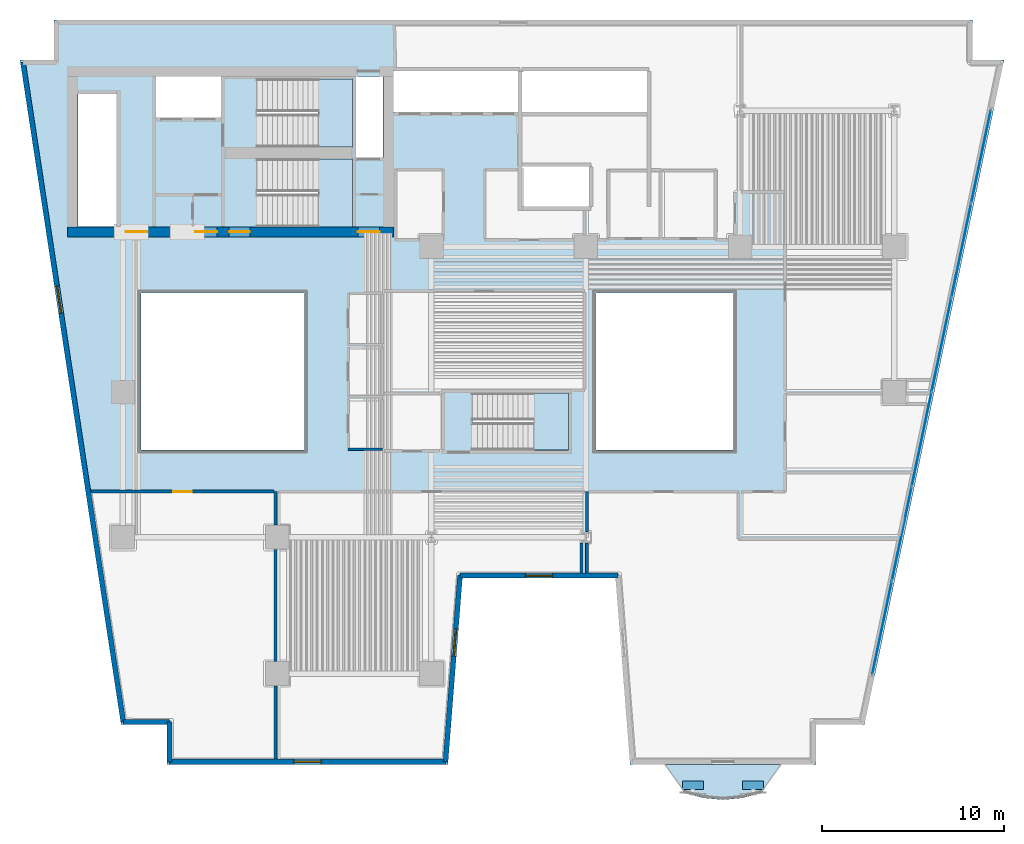
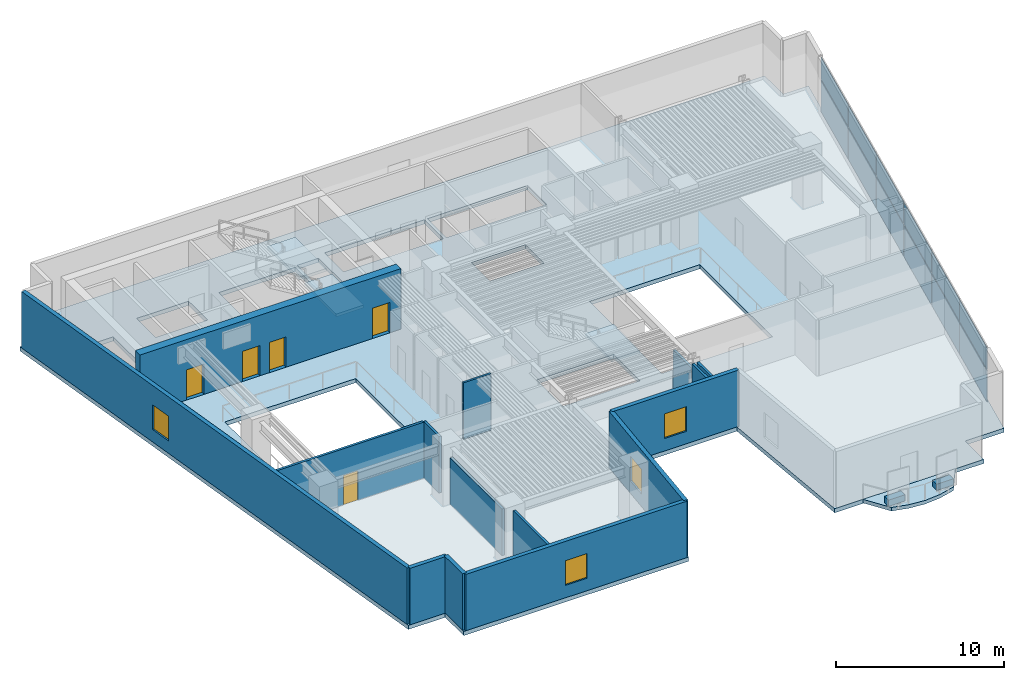
# One storey, part 3 of 12: 15 walls, 14 plates, 5 doors, 5 slabs, 4 windows, 9 openings, 4 elements without a shape of their own.
"""IFC4 building model written with IfcOpenShell, lengths in metres."""

from ifc_helpers import new_model, si_unit, direction, frame, frame_2d, origin, origin_2d, place, context, subcontext, project, spatial, polyline, rectangle, outline, extrude, material, layer, layer_set, type_object, element, fill, aggregate, save


model = new_model("IFC4")

# Units and contexts
model_context = context("Model", 3, precision=1e-05, world=origin(), true_north=direction((0.0, 1.0)))
body_context = subcontext(model_context, "Body", "Model", "MODEL_VIEW")
ifc_project = project(units=[si_unit("LENGTHUNIT", "METRE"), si_unit("AREAUNIT", "SQUARE_METRE"), si_unit("VOLUMEUNIT", "CUBIC_METRE"), si_unit("PLANEANGLEUNIT", "RADIAN"), si_unit("MASSUNIT", "GRAM", prefix="KILO")], contexts=[model_context])

# Site, building, storey
site_placement = place(None, origin())
site = spatial("IfcSite", under=ifc_project, at=site_placement, CompositionType="ELEMENT")
building_placement = place(site_placement, origin())
building = spatial("IfcBuilding", under=site, at=building_placement, Name="Caeloran Harvest Quay", CompositionType="ELEMENT")
storey_placement = place(building_placement, frame((0.0, 0.0, 31.39990234375)))
storey = spatial("IfcBuildingStorey", under=building, at=storey_placement, Name="L07", CompositionType="ELEMENT", Elevation=31.39990234375)

# Slab
ifc_material_1 = material(Name="Concrete C50/60", Category="concrete")
ifc_layer_1 = layer(ifc_material_1, 0.260009765625, Name="Concrete C50/60")
ifc_layer_set_1 = layer_set([ifc_layer_1], Name="Concrete C50/60")
slab_type_1 = type_object("IfcSlabType", Name="BALCONY-BL-260", PredefinedType="FLOOR", material=ifc_layer_set_1)
slab_1_placement = place(storey_placement, frame((0.0, 0.0, -0.260009765625)))
element("IfcSlab", 1, at=slab_1_placement, inside=storey, type_object=slab_type_1, Name="L07 Scalloped Cantilevered Planted Balcony Slab", PredefinedType="FLOOR", context=body_context, shape_type="SweptSolid", body=[
    extrude(outline(polyline([(43.686767578125, 0.917236328125), (42.622802734375, 0.644287109375), (41.55859375, 0.544189453125), (40.494384765625, 0.644287109375), (39.43017578125, 0.917236328125), (38.37939453125, 2.5), (44.73779296875, 2.5), (43.686767578125, 0.917236328125)])), origin(), (0.0, 0.0, 1.0), 0.260009765625),
])

# Curtain wall, plates
ifc_material_2 = material(Name="Aluminium 6063-T6 and Low-E Glazing", Category="aluminium")
ifc_layer_2 = layer(ifc_material_2, 0.199951171875, Name="Aluminium 6063-T6 and Low-E Glazing")
ifc_layer_set_2 = layer_set([ifc_layer_2], Name="Aluminium 6063-T6 and Low-E Glazing")
curtain_wall_type = type_object("IfcCurtainWallType", Name="CW-SYS-CW-2", PredefinedType="USERDEFINED", material=ifc_layer_set_2)
curtain_wall_placement = place(storey_placement, origin())
curtain_wall = element("IfcCurtainWall", 2, at=curtain_wall_placement, inside=storey, type_object=curtain_wall_type, Name="L07 Unitised Curtain Wall CW-2 Run 9", ObjectType="CURTAIN_WALL", PredefinedType="USERDEFINED")
ifc_material_3 = material(Name="Low-E Double Glazed Vision Glass Unit", Category="glass")
ifc_layer_3 = layer(ifc_material_3, 0.035888671875, Name="Low-E Double Glazed Vision Glass Unit")
ifc_layer_set_3 = layer_set([ifc_layer_3], Name="Low-E Double Glazed Vision Glass Unit")
plate_type_1 = type_object("IfcPlateType", Name="CW-VISION-PANEL", PredefinedType="CURTAIN_PANEL", material=ifc_layer_set_3)
plate_1_placement = place(storey_placement, frame((55.780029296875, 35.993408203125, 0.080078125), z_axis=(0.0, 0.0, 1.0), x_axis=(-0.205582960081, -0.978639691881, 0.0)))
plate_1 = element("IfcPlate", 3, at=plate_1_placement, type_object=plate_type_1, Name="CW-2 panel 1.1", PredefinedType="CURTAIN_PANEL", context=body_context, shape_type="SweptSolid", body=[
    extrude(rectangle(XDim=5.19873046875, YDim=0.035888671875, at=origin_2d()), origin(), (0.0, 0.0, 1.0), 2.280029296875),
])
plate_2_placement = place(storey_placement, frame((55.780029296875, 35.993408203125, 2.43994140625), z_axis=(0.0, 0.0, 1.0), x_axis=(-0.205582960081, -0.978639691881, 0.0)))
plate_2 = element("IfcPlate", 4, at=plate_2_placement, type_object=plate_type_1, Name="CW-2 panel 1.2", PredefinedType="CURTAIN_PANEL", context=body_context, shape_type="SweptSolid", body=[
    extrude(rectangle(XDim=5.19873046875, YDim=0.035888671875, at=origin_2d()), origin(), (0.0, 0.0, 1.0), 1.580078125),
])
plate_3_placement = place(storey_placement, frame((54.690673828125, 30.807861328125, 0.080078125), z_axis=(0.0, 0.0, 1.0), x_axis=(-0.205582960081, -0.978639691881, 0.0)))
plate_3 = element("IfcPlate", 5, at=plate_3_placement, type_object=plate_type_1, Name="CW-2 panel 2.1", PredefinedType="CURTAIN_PANEL", context=body_context, shape_type="SweptSolid", body=[
    extrude(rectangle(XDim=5.23876953125, YDim=0.035888671875, at=origin_2d()), origin(), (0.0, 0.0, 1.0), 2.280029296875),
])
plate_4_placement = place(storey_placement, frame((54.690673828125, 30.807861328125, 2.43994140625), z_axis=(0.0, 0.0, 1.0), x_axis=(-0.205582960081, -0.978639691881, 0.0)))
plate_4 = element("IfcPlate", 6, at=plate_4_placement, type_object=plate_type_1, Name="CW-2 panel 2.2", PredefinedType="CURTAIN_PANEL", context=body_context, shape_type="SweptSolid", body=[
    extrude(rectangle(XDim=5.23876953125, YDim=0.035888671875, at=origin_2d()), origin(), (0.0, 0.0, 1.0), 1.580078125),
])
plate_5_placement = place(storey_placement, frame((53.59716796875, 25.6025390625, 0.080078125), z_axis=(0.0, 0.0, 1.0), x_axis=(-0.205582960081, -0.978639691881, 0.0)))
plate_5 = element("IfcPlate", 7, at=plate_5_placement, type_object=plate_type_1, Name="CW-2 panel 3.1", PredefinedType="CURTAIN_PANEL", context=body_context, shape_type="SweptSolid", body=[
    extrude(rectangle(XDim=5.23876953125, YDim=0.035888671875, at=origin_2d()), origin(), (0.0, 0.0, 1.0), 2.280029296875),
])
plate_6_placement = place(storey_placement, frame((53.59716796875, 25.6025390625, 2.43994140625), z_axis=(0.0, 0.0, 1.0), x_axis=(-0.205582960081, -0.978639691881, 0.0)))
plate_6 = element("IfcPlate", 8, at=plate_6_placement, type_object=plate_type_1, Name="CW-2 panel 3.2", PredefinedType="CURTAIN_PANEL", context=body_context, shape_type="SweptSolid", body=[
    extrude(rectangle(XDim=5.23876953125, YDim=0.035888671875, at=origin_2d()), origin(), (0.0, 0.0, 1.0), 1.580078125),
])
plate_7_placement = place(storey_placement, frame((52.503662109375, 20.3974609375, 0.080078125), z_axis=(0.0, 0.0, 1.0), x_axis=(-0.205582960081, -0.978639691881, 0.0)))
plate_7 = element("IfcPlate", 9, at=plate_7_placement, type_object=plate_type_1, Name="CW-2 panel 4.1", PredefinedType="CURTAIN_PANEL", context=body_context, shape_type="SweptSolid", body=[
    extrude(rectangle(XDim=5.23876953125, YDim=0.035888671875, at=origin_2d()), origin(), (0.0, 0.0, 1.0), 2.280029296875),
])
plate_8_placement = place(storey_placement, frame((52.503662109375, 20.3974609375, 2.43994140625), z_axis=(0.0, 0.0, 1.0), x_axis=(-0.205582960081, -0.978639691881, 0.0)))
plate_8 = element("IfcPlate", 10, at=plate_8_placement, type_object=plate_type_1, Name="CW-2 panel 4.2", PredefinedType="CURTAIN_PANEL", context=body_context, shape_type="SweptSolid", body=[
    extrude(rectangle(XDim=5.23876953125, YDim=0.035888671875, at=origin_2d()), origin(), (0.0, 0.0, 1.0), 1.580078125),
])
plate_9_placement = place(storey_placement, frame((51.41015625, 15.192138671875, 0.080078125), z_axis=(0.0, 0.0, 1.0), x_axis=(-0.205582960081, -0.978639691881, 0.0)))
plate_9 = element("IfcPlate", 11, at=plate_9_placement, type_object=plate_type_1, Name="CW-2 panel 5.1", PredefinedType="CURTAIN_PANEL", context=body_context, shape_type="SweptSolid", body=[
    extrude(rectangle(XDim=5.23876953125, YDim=0.035888671875, at=origin_2d()), origin(), (0.0, 0.0, 1.0), 2.280029296875),
])
plate_10_placement = place(storey_placement, frame((51.41015625, 15.192138671875, 2.43994140625), z_axis=(0.0, 0.0, 1.0), x_axis=(-0.205582960081, -0.978639691881, 0.0)))
plate_10 = element("IfcPlate", 12, at=plate_10_placement, type_object=plate_type_1, Name="CW-2 panel 5.2", PredefinedType="CURTAIN_PANEL", context=body_context, shape_type="SweptSolid", body=[
    extrude(rectangle(XDim=5.23876953125, YDim=0.035888671875, at=origin_2d()), origin(), (0.0, 0.0, 1.0), 1.580078125),
])
plate_11_placement = place(storey_placement, frame((50.321044921875, 10.006591796875, 0.080078125), z_axis=(0.0, 0.0, 1.0), x_axis=(-0.205582960081, -0.978639691881, 0.0)))
plate_11 = element("IfcPlate", 13, at=plate_11_placement, type_object=plate_type_1, Name="CW-2 panel 6.1", PredefinedType="CURTAIN_PANEL", context=body_context, shape_type="SweptSolid", body=[
    extrude(rectangle(XDim=5.19873046875, YDim=0.035888671875, at=origin_2d()), origin(), (0.0, 0.0, 1.0), 2.280029296875),
])
plate_12_placement = place(storey_placement, frame((50.321044921875, 10.006591796875, 2.43994140625), z_axis=(0.0, 0.0, 1.0), x_axis=(-0.205582960081, -0.978639691881, 0.0)))
plate_12 = element("IfcPlate", 14, at=plate_12_placement, type_object=plate_type_1, Name="CW-2 panel 6.2", PredefinedType="CURTAIN_PANEL", context=body_context, shape_type="SweptSolid", body=[
    extrude(rectangle(XDim=5.19873046875, YDim=0.035888671875, at=origin_2d()), origin(), (0.0, 0.0, 1.0), 1.580078125),
])
aggregate(curtain_wall, [plate_1, plate_2, plate_3, plate_4, plate_5, plate_6, plate_7, plate_8, plate_9, plate_10, plate_11, plate_12])

# Plates
ifc_material_4 = material(Name="Precast concrete C50/60", Category="concrete")
ifc_layer_4 = layer(ifc_material_4, 0.449951171875, Name="Precast concrete C50/60")
ifc_layer_set_4 = layer_set([ifc_layer_4], Name="Precast concrete C50/60")
plate_type_2 = type_object("IfcPlateType", Name="PLANTER-TROUGH-450", PredefinedType="USERDEFINED", material=ifc_layer_set_4)
for number, where, z_axis, x_axis, name in (
    (15, (43.218505859375, 1.3408203125, 0.0), (0.0, 0.0, 1.0), (1.0, 0.0, 0.0), "L07 Balcony Vertical-Greenery Precast PLANTER Trough 1"),
    (16, (39.8984375, 1.3408203125, 0.0), (0.0, 0.0, 1.0), (1.0, 0.0, 0.0), "L07 Balcony Vertical-Greenery Precast PLANTER Trough 2"),
):
    element("IfcPlate", number, at=place(storey_placement, frame(where, z_axis=z_axis, x_axis=x_axis)), inside=storey, type_object=plate_type_2, Name=name, ObjectType="PLANTER", PredefinedType="USERDEFINED", context=body_context, shape_type="SweptSolid", body=[
        extrude(rectangle(XDim=1.14990234375, YDim=0.47998046875, at=origin_2d()), origin(), (0.0, 0.0, 1.0), 0.449951171875),
    ])

# Slab
ifc_layer_5 = layer(ifc_material_1, 0.300048828125, Name="Concrete C50/60")
ifc_layer_set_5 = layer_set([ifc_layer_5], Name="Concrete C50/60")
slab_type_2 = type_object("IfcSlabType", Name="SLAB-FS-300", PredefinedType="FLOOR", material=ifc_layer_set_5)
slab_2_placement = place(storey_placement, frame((0.0, 0.0, -0.2998046875)))
element("IfcSlab", 17, at=slab_2_placement, inside=storey, type_object=slab_type_2, Name="L07 Structural Floor Slab", PredefinedType="FLOOR", context=body_context, shape_type="SweptSolid", body=[
    extrude(outline(polyline([(10.93701171875, 2.5), (26.403076171875, 2.5), (27.202880859375, 12.75), (35.640380859375, 12.75), (36.4404296875, 2.5), (46.68701171875, 2.5), (46.68701171875, 4.699951171875), (49.34912109375, 4.699951171875), (57.037841796875, 41.300048828125), (55.300048828125, 41.300048828125), (55.300048828125, 43.5), (4.699951171875, 43.5), (4.699951171875, 41.300048828125), (2.834716796875, 41.300048828125), (8.40234375, 4.699951171875), (10.93701171875, 4.699951171875), (10.93701171875, 2.5)]), holes=[polyline([(18.5, 19.800048828125), (9.5, 19.800048828125), (9.5, 28.449951171875), (18.5, 28.449951171875), (18.5, 19.800048828125)]), polyline([(15.89990234375, 32.10009765625), (15.89990234375, 35.85009765625), (21.14990234375, 35.85009765625), (21.14990234375, 32.10009765625), (15.89990234375, 32.10009765625)]), polyline([(8.159912109375, 32.1201171875), (6.02001953125, 32.1201171875), (6.02001953125, 39.419921875), (8.159912109375, 39.419921875), (8.159912109375, 32.1201171875)]), polyline([(21.35009765625, 35.919921875), (21.35009765625, 40.3798828125), (22.830078125, 40.3798828125), (22.830078125, 35.919921875), (21.35009765625, 35.919921875)]), polyline([(15.89990234375, 40.25), (21.14990234375, 40.25), (21.14990234375, 36.5), (15.89990234375, 36.5), (15.89990234375, 40.25)]), polyline([(13.89990234375, 38.1201171875), (10.320068359375, 38.1201171875), (10.320068359375, 40.3798828125), (13.89990234375, 40.3798828125), (13.89990234375, 38.1201171875)]), polyline([(27.75, 22.949951171875), (33.050048828125, 22.949951171875), (33.050048828125, 19.800048828125), (27.75, 19.800048828125), (27.75, 22.949951171875)]), polyline([(34.550048828125, 19.800048828125), (34.550048828125, 28.449951171875), (42.14990234375, 28.449951171875), (42.14990234375, 19.800048828125), (34.550048828125, 19.800048828125)]), polyline([(34.199951171875, 33.219970703125), (30.47998046875, 33.219970703125), (30.47998046875, 35.429931640625), (34.199951171875, 35.429931640625), (34.199951171875, 33.219970703125)]), polyline([(23.419921875, 38.419921875), (23.419921875, 40.679931640625), (30.280029296875, 40.679931640625), (30.280029296875, 38.419921875), (23.419921875, 38.419921875)]), polyline([(30.47998046875, 38.419921875), (30.47998046875, 40.679931640625), (37.3798828125, 40.679931640625), (37.3798828125, 38.419921875), (30.47998046875, 38.419921875)])]), origin(), (0.0, 0.0, 1.0), 0.2998046875),
])

# Stair, slab
stair_type_1 = type_object("IfcStairType", Name="STAIR-STC-180", PredefinedType="HALF_TURN_STAIR", material=ifc_material_1)
stair_1_placement = place(storey_placement, origin())
stair_1 = element("IfcStair", 18, at=stair_1_placement, inside=storey, type_object=stair_type_1, Name="L07 Core Pressurized Exit Stair ST-C1", PredefinedType="HALF_TURN_STAIR")
ifc_layer_6 = layer(ifc_material_1, 0.219970703125, Name="Concrete C50/60")
ifc_layer_set_6 = layer_set([ifc_layer_6], Name="Concrete C50/60")
slab_type_3 = type_object("IfcSlabType", Name="STAIR-LANDING-220", PredefinedType="LANDING", material=ifc_layer_set_6)
slab_3_placement = place(storey_placement, frame((0.0, 0.0, 2.0)))
slab_3 = element("IfcSlab", 19, at=slab_3_placement, type_object=slab_type_3, Name="ST-C1 landing 1", PredefinedType="LANDING", context=body_context, shape_type="SweptSolid", body=[
    extrude(outline(polyline([(19.260009765625, 36.5), (21.14990234375, 36.5), (21.14990234375, 40.25), (19.260009765625, 40.25), (19.260009765625, 36.5)])), origin(), (0.0, 0.0, 1.0), 0.2001953125),
])
aggregate(stair_1, [slab_3])

stair_2_placement = place(storey_placement, origin())
stair_2 = element("IfcStair", 20, at=stair_2_placement, inside=storey, type_object=stair_type_1, Name="L07 Core Pressurized Exit Stair ST-C2", PredefinedType="HALF_TURN_STAIR")
slab_4_placement = place(storey_placement, frame((0.0, 0.0, 2.0)))
slab_4 = element("IfcSlab", 21, at=slab_4_placement, type_object=slab_type_3, Name="ST-C2 landing 1", PredefinedType="LANDING", context=body_context, shape_type="SweptSolid", body=[
    extrude(outline(polyline([(19.260009765625, 32.10009765625), (21.14990234375, 32.10009765625), (21.14990234375, 35.85009765625), (19.260009765625, 35.85009765625), (19.260009765625, 32.10009765625)])), origin(), (0.0, 0.0, 1.0), 0.2001953125),
])
aggregate(stair_2, [slab_4])

stair_type_2 = type_object("IfcStairType", Name="STAIR-STW-150", PredefinedType="HALF_TURN_STAIR", material=ifc_material_1)
stair_3_placement = place(storey_placement, origin())
stair_3 = element("IfcStair", 22, at=stair_3_placement, inside=storey, type_object=stair_type_2, Name="L07 East Wing Protected Exit Stair ST-W1", PredefinedType="HALF_TURN_STAIR")
slab_5_placement = place(storey_placement, frame((0.0, 0.0, 2.0)))
slab_5 = element("IfcSlab", 23, at=slab_5_placement, type_object=slab_type_3, Name="ST-W1 landing 1", PredefinedType="LANDING", context=body_context, shape_type="SweptSolid", body=[
    extrude(outline(polyline([(31.110107421875, 19.800048828125), (33.050048828125, 19.800048828125), (33.050048828125, 22.949951171875), (31.110107421875, 22.949951171875), (31.110107421875, 19.800048828125)])), origin(), (0.0, 0.0, 1.0), 0.2001953125),
])
aggregate(stair_3, [slab_5])

# Walls
ifc_layer_7 = layer(ifc_material_4, 0.280029296875, Name="Precast concrete C50/60")
ifc_layer_set_7 = layer_set([ifc_layer_7], Name="Precast concrete C50/60")
wall_type_1 = type_object("IfcWallType", Name="ENV-WALL-EW-280", PredefinedType="STANDARD", material=ifc_layer_set_7)
wall_1_placement = place(storey_placement, frame((11.076904296875, 2.639892578125, 0.0), z_axis=(0.0, 0.0, 1.0), x_axis=(0.0, 1.0, 0.0)))
element("IfcWall", 24, at=wall_1_placement, inside=storey, type_object=wall_type_1, Name="L07 Exterior Precast Concrete Facade Wall 1", PredefinedType="STANDARD", context=body_context, shape_type="SweptSolid", body=[
    extrude(rectangle(XDim=2.2001953125, YDim=0.280029296875, at=frame_2d((1.10009765625, 0.0))), origin(), (0.0, 0.0, 1.0), 4.10009765625),
])
wall_2_placement = place(storey_placement, frame((11.076904296875, 4.840087890625, 0.0), z_axis=(0.0, 0.0, 1.0), x_axis=(-1.0, 0.0, 0.0)))
element("IfcWall", 25, at=wall_2_placement, inside=storey, type_object=wall_type_1, Name="L07 Exterior Precast Concrete Facade Wall 2", PredefinedType="STANDARD", context=body_context, shape_type="SweptSolid", body=[
    extrude(rectangle(XDim=2.55419921875, YDim=0.280029296875, at=frame_2d((1.277099609375, 0.0))), origin(), (0.0, 0.0, 1.0), 4.10009765625),
])

# Wall, opening, window
wall_3_placement = place(storey_placement, frame((8.522705078125, 4.840087890625, 0.0), z_axis=(0.0, 0.0, 1.0), x_axis=(-0.150394554312, 0.988626055712, 0.0)))
wall_3 = element("IfcWall", 26, at=wall_3_placement, inside=storey, type_object=wall_type_1, Name="L07 Exterior Precast Concrete Facade Wall 3", PredefinedType="STANDARD", context=body_context, shape_type="SweptSolid", body=[
    extrude(rectangle(XDim=36.73779296875, YDim=0.280029296875, at=frame_2d((18.368896484375, 0.0))), origin(), (0.0, 0.0, 1.0), 4.10009765625),
])
opening_1_placement = place(wall_3_placement, frame((22.761962890625, 0.0, 0.89990234375)))
opening_1 = element("IfcOpeningElement", 27, at=opening_1_placement, cuts=wall_3, Name="Opening W-03", PredefinedType="OPENING", context=body_context, shape_type="SweptSolid", body=[
    extrude(rectangle(XDim=1.5, YDim=1.800048828125, at=frame_2d((0.75, 0.89990234375))), frame((0.0, 0.14990234375, 0.0), z_axis=(0.0, -1.0, 0.0), x_axis=(1.0, 0.0, 0.0)), (0.0, 0.0, 1.0), 0.300048828125),
])
ifc_material_5 = material(Name="Aluminium-Framed Low-E Laminated Glass", Category="aluminium")
window_type = type_object("IfcWindowType", Name="WIN-W-03", PartitioningType="SINGLE_PANEL", PredefinedType="WINDOW", material=ifc_material_5)
window_1_placement = place(opening_1_placement, origin())
window_1 = element("IfcWindow", 28, at=window_1_placement, inside=storey, type_object=window_type, Name="L07 Facade Punched Window W-03", OverallHeight=1.800048828125, OverallWidth=1.5, PartitioningType="SINGLE_PANEL", PredefinedType="WINDOW", context=body_context, shape_type="SweptSolid", body=[
    extrude(rectangle(XDim=1.5, YDim=1.800048828125, at=frame_2d((0.75, 0.89990234375))), frame((0.0, 0.030029296875, 0.0), z_axis=(0.0, -1.0, 0.0), x_axis=(1.0, 0.0, 0.0)), (0.0, 0.0, 1.0), 0.06005859375),
])
fill(opening_1, window_1)

wall_4_placement = place(storey_placement, frame((35.77001953125, 12.889892578125, 0.0), z_axis=(0.0, 0.0, 1.0), x_axis=(-1.0, 0.0, 0.0)))
wall_4 = element("IfcWall", 29, at=wall_4_placement, inside=storey, type_object=wall_type_1, Name="L07 Exterior Precast Concrete Facade Wall 14", PredefinedType="STANDARD", context=body_context, shape_type="SweptSolid", body=[
    extrude(rectangle(XDim=8.696533203125, YDim=0.280029296875, at=frame_2d((4.34814453125, 0.0))), origin(), (0.0, 0.0, 1.0), 4.10009765625),
])
opening_2_placement = place(wall_4_placement, frame((3.597900390625, 0.0, 0.89990234375)))
opening_2 = element("IfcOpeningElement", 30, at=opening_2_placement, cuts=wall_4, Name="Opening W-03", PredefinedType="OPENING", context=body_context, shape_type="SweptSolid", body=[
    extrude(rectangle(XDim=1.5, YDim=1.800048828125, at=frame_2d((0.75, 0.89990234375))), frame((0.0, 0.14990234375, 0.0), z_axis=(0.0, -1.0, 0.0), x_axis=(1.0, 0.0, 0.0)), (0.0, 0.0, 1.0), 0.300048828125),
])
window_2_placement = place(opening_2_placement, origin())
window_2 = element("IfcWindow", 31, at=window_2_placement, inside=storey, type_object=window_type, Name="L07 Facade Punched Window W-03", OverallHeight=1.800048828125, OverallWidth=1.5, PartitioningType="SINGLE_PANEL", PredefinedType="WINDOW", context=body_context, shape_type="SweptSolid", body=[
    extrude(rectangle(XDim=1.5, YDim=1.800048828125, at=frame_2d((0.75, 0.89990234375))), frame((0.0, 0.030029296875, 0.0), z_axis=(0.0, -1.0, 0.0), x_axis=(1.0, 0.0, 0.0)), (0.0, 0.0, 1.0), 0.06005859375),
])
fill(opening_2, window_2)

wall_5_placement = place(storey_placement, frame((27.073486328125, 12.889892578125, 0.0), z_axis=(0.0, 0.0, 1.0), x_axis=(-0.077816860153, -0.996967670627, 0.0)))
wall_5 = element("IfcWall", 32, at=wall_5_placement, inside=storey, type_object=wall_type_1, Name="L07 Exterior Precast Concrete Facade Wall 15", PredefinedType="STANDARD", context=body_context, shape_type="SweptSolid", body=[
    extrude(rectangle(XDim=10.28125, YDim=0.280029296875, at=frame_2d((5.140625, 0.0))), origin(), (0.0, 0.0, 1.0), 4.10009765625),
])
opening_3_placement = place(wall_5_placement, frame((2.950927734375, 0.0, 0.89990234375)))
opening_3 = element("IfcOpeningElement", 33, at=opening_3_placement, cuts=wall_5, Name="Opening W-03", PredefinedType="OPENING", context=body_context, shape_type="SweptSolid", body=[
    extrude(rectangle(XDim=1.5, YDim=1.800048828125, at=frame_2d((0.75, 0.89990234375))), frame((0.0, 0.14990234375, 0.0), z_axis=(0.0, -1.0, 0.0), x_axis=(1.0, 0.0, 0.0)), (0.0, 0.0, 1.0), 0.300048828125),
])
window_3_placement = place(opening_3_placement, origin())
window_3 = element("IfcWindow", 34, at=window_3_placement, inside=storey, type_object=window_type, Name="L07 Facade Punched Window W-03", OverallHeight=1.800048828125, OverallWidth=1.5, PartitioningType="SINGLE_PANEL", PredefinedType="WINDOW", context=body_context, shape_type="SweptSolid", body=[
    extrude(rectangle(XDim=1.5, YDim=1.800048828125, at=frame_2d((0.75, 0.89990234375))), frame((0.0, 0.030029296875, 0.0), z_axis=(0.0, -1.0, 0.0), x_axis=(1.0, 0.0, 0.0)), (0.0, 0.0, 1.0), 0.06005859375),
])
fill(opening_3, window_3)

wall_6_placement = place(storey_placement, frame((26.2734375, 2.639892578125, 0.0), z_axis=(0.0, 0.0, 1.0), x_axis=(-1.0, 0.0, 0.0)))
wall_6 = element("IfcWall", 35, at=wall_6_placement, inside=storey, type_object=wall_type_1, Name="L07 Exterior Precast Concrete Facade Wall 16", PredefinedType="STANDARD", context=body_context, shape_type="SweptSolid", body=[
    extrude(rectangle(XDim=15.196533203125, YDim=0.280029296875, at=frame_2d((7.59814453125, 0.0))), origin(), (0.0, 0.0, 1.0), 4.10009765625),
])
opening_4_placement = place(wall_6_placement, frame((6.847900390625, 0.0, 0.89990234375)))
opening_4 = element("IfcOpeningElement", 36, at=opening_4_placement, cuts=wall_6, Name="Opening W-03", PredefinedType="OPENING", context=body_context, shape_type="SweptSolid", body=[
    extrude(rectangle(XDim=1.5, YDim=1.800048828125, at=frame_2d((0.75, 0.89990234375))), frame((0.0, 0.14990234375, 0.0), z_axis=(0.0, -1.0, 0.0), x_axis=(1.0, 0.0, 0.0)), (0.0, 0.0, 1.0), 0.300048828125),
])
window_4_placement = place(opening_4_placement, origin())
window_4 = element("IfcWindow", 37, at=window_4_placement, inside=storey, type_object=window_type, Name="L07 Facade Punched Window W-03", OverallHeight=1.800048828125, OverallWidth=1.5, PartitioningType="SINGLE_PANEL", PredefinedType="WINDOW", context=body_context, shape_type="SweptSolid", body=[
    extrude(rectangle(XDim=1.5, YDim=1.800048828125, at=frame_2d((0.75, 0.89990234375))), frame((0.0, 0.030029296875, 0.0), z_axis=(0.0, -1.0, 0.0), x_axis=(1.0, 0.0, 0.0)), (0.0, 0.0, 1.0), 0.06005859375),
])
fill(opening_4, window_4)

# Walls
ifc_material_6 = material(Name="Moisture-Resistant Cement-Board Sanitary Partition", Category="gypsum")
ifc_layer_8 = layer(ifc_material_6, 0.139892578125, Name="Moisture-Resistant Cement-Board Sanitary Partition")
ifc_layer_set_8 = layer_set([ifc_layer_8], Name="Moisture-Resistant Cement-Board Sanitary Partition")
wall_type_2 = type_object("IfcWallType", Name="INT-WALL-PW-140", PredefinedType="PARTITIONING", material=ifc_layer_set_8)
wall_7_placement = place(storey_placement, frame((22.800048828125, 19.85009765625, 0.0), z_axis=(0.0, 0.0, 1.0), x_axis=(-1.0, 0.0, 0.0)))
element("IfcWall", 38, at=wall_7_placement, inside=storey, type_object=wall_type_2, Name="L07 Accessible Unisex Washroom WC Partition Wall", PredefinedType="PARTITIONING", context=body_context, shape_type="SweptSolid", body=[
    extrude(rectangle(XDim=1.89013671875, YDim=0.139892578125, at=frame_2d((0.945068359375, 0.0))), origin(), (0.0, 0.0, 1.0), 4.10009765625),
])
ifc_material_7 = material(Name="Autoclaved Aerated Concrete Blockwork", Category="masonry")
ifc_layer_9 = layer(ifc_material_7, 0.1650390625, Name="Autoclaved Aerated Concrete Blockwork")
ifc_layer_set_9 = layer_set([ifc_layer_9], Name="Autoclaved Aerated Concrete Blockwork")
wall_type_3 = type_object("IfcWallType", Name="INT-WALL-PW-165", PredefinedType="PARTITIONING", material=ifc_layer_set_9)
wall_8_placement = place(storey_placement, frame((34.080078125, 13.034912109375, 0.0), z_axis=(0.0, 0.0, 1.0), x_axis=(0.0, 1.0, 0.0)))
element("IfcWall", 39, at=wall_8_placement, inside=storey, type_object=wall_type_3, Name="Leafy-Greens Hydroponic Growing Hall Partition Wall", PredefinedType="PARTITIONING", context=body_context, shape_type="SweptSolid", body=[
    extrude(rectangle(XDim=1.655517578125, YDim=0.1650390625, at=frame_2d((0.82763671875, 0.0))), origin(), (0.0, 0.0, 1.0), 4.10009765625),
])
wall_9_placement = place(storey_placement, frame((34.080078125, 15.3095703125, 0.0), z_axis=(0.0, 0.0, 1.0), x_axis=(0.0, 1.0, 0.0)))
element("IfcWall", 40, at=wall_9_placement, inside=storey, type_object=wall_type_3, Name="Leafy-Greens Hydroponic Growing Hall Partition Wall", PredefinedType="PARTITIONING", context=body_context, shape_type="SweptSolid", body=[
    extrude(rectangle(XDim=2.21044921875, YDim=0.1650390625, at=frame_2d((1.105224609375, 0.0))), origin(), (0.0, 0.0, 1.0), 3.28515625),
])
wall_10_placement = place(storey_placement, frame((16.919921875, 17.52001953125, 0.0), z_axis=(0.0, 0.0, 1.0), x_axis=(0.0, -1.0, 0.0)))
element("IfcWall", 41, at=wall_10_placement, inside=storey, type_object=wall_type_3, Name="Aeroponic Root-Mist Growing Chamber Partition Wall", PredefinedType="PARTITIONING", context=body_context, shape_type="SweptSolid", body=[
    extrude(rectangle(XDim=1.844970703125, YDim=0.1650390625, at=frame_2d((0.92236328125, 0.0))), origin(), (0.0, 0.0, 1.0), 4.10009765625),
])
wall_11_placement = place(storey_placement, frame((16.919921875, 14.324951171875, 0.0), z_axis=(0.0, 0.0, 1.0), x_axis=(0.0, -1.0, 0.0)))
element("IfcWall", 42, at=wall_11_placement, inside=storey, type_object=wall_type_3, Name="Aeroponic Root-Mist Growing Chamber Partition Wall", PredefinedType="PARTITIONING", context=body_context, shape_type="SweptSolid", body=[
    extrude(rectangle(XDim=6.14990234375, YDim=0.1650390625, at=frame_2d((3.074951171875, 0.0))), origin(), (0.0, 0.0, 1.0), 3.385009765625),
])
wall_12_placement = place(storey_placement, frame((16.919921875, 6.824951171875, 0.0), z_axis=(0.0, 0.0, 1.0), x_axis=(0.0, -1.0, 0.0)))
element("IfcWall", 43, at=wall_12_placement, inside=storey, type_object=wall_type_3, Name="Aeroponic Root-Mist Growing Chamber Partition Wall", PredefinedType="PARTITIONING", context=body_context, shape_type="SweptSolid", body=[
    extrude(rectangle(XDim=4.0400390625, YDim=0.1650390625, at=frame_2d((2.02001953125, 0.0))), origin(), (0.0, 0.0, 1.0), 4.10009765625),
])

# Wall, opening, door
wall_13_placement = place(storey_placement, frame((6.740478515625, 17.52001953125, 0.0), z_axis=(0.0, 0.0, 1.0), x_axis=(1.0, 0.0, 0.0)))
wall_13 = element("IfcWall", 44, at=wall_13_placement, inside=storey, type_object=wall_type_3, Name="Aeroponic Root-Mist Growing Chamber Partition Wall", PredefinedType="PARTITIONING", context=body_context, shape_type="SweptSolid", body=[
    extrude(rectangle(XDim=10.092041015625, YDim=0.1650390625, at=frame_2d((5.0458984375, 0.0))), origin(), (0.0, 0.0, 1.0), 4.10009765625),
])
opening_5_placement = place(wall_13_placement, frame((4.5458984375, 0.0, 0.0)))
opening_5 = element("IfcOpeningElement", 45, at=opening_5_placement, cuts=wall_13, Name="Opening ID-01", PredefinedType="OPENING", context=body_context, shape_type="SweptSolid", body=[
    extrude(rectangle(XDim=1.0, YDim=2.14990234375, at=frame_2d((0.5, 1.074951171875))), frame((0.0, 0.092529296875, 0.0), z_axis=(0.0, -1.0, 0.0), x_axis=(1.0, 0.0, 0.0)), (0.0, 0.0, 1.0), 0.18505859375),
])
ifc_material_8 = material(Name="FSC Solid-Core Ash Timber and Acoustic Seal", Category="wood")
door_type_1 = type_object("IfcDoorType", Name="INTDOOR-ID-01", OperationType="NOTDEFINED", PredefinedType="DOOR", material=ifc_material_8)
door_1_placement = place(opening_5_placement, origin())
door_1 = element("IfcDoor", 46, at=door_1_placement, inside=storey, type_object=door_type_1, Name="Aeroponic Root-Mist Growing Chamber Access Door", OperationType="SINGLE_SWING_LEFT", OverallHeight=2.14990234375, OverallWidth=1.0, PredefinedType="DOOR", context=body_context, shape_type="SweptSolid", body=[
    extrude(rectangle(XDim=1.0, YDim=2.14990234375, at=frame_2d((0.5, 1.074951171875))), frame((0.0, 0.02490234375, 0.0), z_axis=(0.0, -1.0, 0.0), x_axis=(1.0, 0.0, 0.0)), (0.0, 0.0, 1.0), 0.050048828125),
])
fill(opening_5, door_1)

# Wall
wall_14_placement = place(storey_placement, frame((33.758056640625, 14.6904296875, 0.0), z_axis=(0.0, 0.0, 1.0), x_axis=(0.0, -1.0, 0.0)))
element("IfcWall", 47, at=wall_14_placement, inside=storey, type_object=wall_type_3, Name="Seedling Nursery Room Partition Wall", PredefinedType="PARTITIONING", context=body_context, shape_type="SweptSolid", body=[
    extrude(rectangle(XDim=1.655517578125, YDim=0.1650390625, at=frame_2d((0.82763671875, 0.0))), origin(), (0.0, 0.0, 1.0), 4.10009765625),
])

# Wall, openings, doors
ifc_material_9 = material(Name="Concrete C80/95", Category="concrete")
ifc_layer_10 = layer(ifc_material_9, 0.550048828125, Name="Concrete C80/95")
ifc_layer_set_10 = layer_set([ifc_layer_10], Name="Concrete C80/95")
wall_type_4 = type_object("IfcWallType", Name="STR-WALL-CW-550", PredefinedType="SHEAR", material=ifc_layer_set_10)
wall_15_placement = place(storey_placement, frame((5.449951171875, 31.824951171875, 0.0), z_axis=(0.0, 0.0, 1.0), x_axis=(1.0, 0.0, 0.0)))
wall_15 = element("IfcWall", 48, at=wall_15_placement, inside=storey, type_object=wall_type_4, Name="L07 Rear Core Shear Wall S", PredefinedType="SHEAR", context=body_context, shape_type="SweptSolid", body=[
    extrude(rectangle(XDim=17.949951171875, YDim=0.550048828125, at=frame_2d((8.97509765625, 0.0))), origin(), (0.0, 0.0, 1.0), 4.400146484375),
])
opening_6_placement = place(wall_15_placement, frame((3.199951171875, 0.0, 0.0)))
opening_6 = element("IfcOpeningElement", 49, at=opening_6_placement, cuts=wall_15, Name="Opening FD-01", PredefinedType="OPENING", context=body_context, shape_type="SweptSolid", body=[
    extrude(rectangle(XDim=1.199951171875, YDim=2.199951171875, at=frame_2d((0.60009765625, 1.10009765625))), frame((0.0, 0.28515625, 0.0), z_axis=(0.0, -1.0, 0.0), x_axis=(1.0, 0.0, 0.0)), (0.0, 0.0, 1.0), 0.570068359375),
])
opening_7_placement = place(wall_15_placement, frame((7.050048828125, 0.0, 0.0)))
opening_7 = element("IfcOpeningElement", 50, at=opening_7_placement, cuts=wall_15, Name="Opening FD-01", PredefinedType="OPENING", context=body_context, shape_type="SweptSolid", body=[
    extrude(rectangle(XDim=1.199951171875, YDim=2.199951171875, at=frame_2d((0.60009765625, 1.10009765625))), frame((0.0, 0.28515625, 0.0), z_axis=(0.0, -1.0, 0.0), x_axis=(1.0, 0.0, 0.0)), (0.0, 0.0, 1.0), 0.570068359375),
])
opening_8_placement = place(wall_15_placement, frame((8.89990234375, 0.0, 0.0)))
opening_8 = element("IfcOpeningElement", 51, at=opening_8_placement, cuts=wall_15, Name="Opening SD-01", PredefinedType="OPENING", context=body_context, shape_type="SweptSolid", body=[
    extrude(rectangle(XDim=1.14990234375, YDim=2.199951171875, at=frame_2d((0.574951171875, 1.10009765625))), frame((0.0, 0.28515625, 0.0), z_axis=(0.0, -1.0, 0.0), x_axis=(1.0, 0.0, 0.0)), (0.0, 0.0, 1.0), 0.570068359375),
])
opening_9_placement = place(wall_15_placement, frame((16.0, 0.0, 0.0)))
opening_9 = element("IfcOpeningElement", 52, at=opening_9_placement, cuts=wall_15, Name="Opening FD-01", PredefinedType="OPENING", context=body_context, shape_type="SweptSolid", body=[
    extrude(rectangle(XDim=1.199951171875, YDim=2.199951171875, at=frame_2d((0.60009765625, 1.10009765625))), frame((0.0, 0.28515625, 0.0), z_axis=(0.0, -1.0, 0.0), x_axis=(1.0, 0.0, 0.0)), (0.0, 0.0, 1.0), 0.570068359375),
])
ifc_material_10 = material(Name="Steel", Category="steel")
door_type_2 = type_object("IfcDoorType", Name="INTDOOR-FD-01", OperationType="NOTDEFINED", PredefinedType="DOOR", material=ifc_material_10)
door_2_placement = place(opening_6_placement, origin())
door_2 = element("IfcDoor", 53, at=door_2_placement, inside=storey, type_object=door_type_2, Name="L07 High-Rise Lift Lobby Fire Door", OperationType="SINGLE_SWING_LEFT", OverallHeight=2.199951171875, OverallWidth=1.199951171875, PredefinedType="DOOR", context=body_context, shape_type="SweptSolid", body=[
    extrude(rectangle(XDim=1.199951171875, YDim=2.199951171875, at=frame_2d((0.60009765625, 1.10009765625))), frame((0.0, 0.02490234375, 0.0), z_axis=(0.0, -1.0, 0.0), x_axis=(1.0, 0.0, 0.0)), (0.0, 0.0, 1.0), 0.050048828125),
])
fill(opening_6, door_2)
door_3_placement = place(opening_7_placement, origin())
door_3 = element("IfcDoor", 54, at=door_3_placement, inside=storey, type_object=door_type_2, Name="L07 Firefighting Lobby Vestibule Fire Door", OperationType="SINGLE_SWING_RIGHT", OverallHeight=2.199951171875, OverallWidth=1.199951171875, PredefinedType="DOOR", context=body_context, shape_type="SweptSolid", body=[
    extrude(rectangle(XDim=1.199951171875, YDim=2.199951171875, at=frame_2d((0.60009765625, 1.10009765625))), frame((0.0, 0.02490234375, 0.0), z_axis=(0.0, -1.0, 0.0), x_axis=(1.0, 0.0, 0.0)), (0.0, 0.0, 1.0), 0.050048828125),
])
fill(opening_7, door_3)
door_4_placement = place(opening_9_placement, origin())
door_4 = element("IfcDoor", 55, at=door_4_placement, inside=storey, type_object=door_type_2, Name="L07 Service Lift Lobby Fire Door", OperationType="SINGLE_SWING_RIGHT", OverallHeight=2.199951171875, OverallWidth=1.199951171875, PredefinedType="DOOR", context=body_context, shape_type="SweptSolid", body=[
    extrude(rectangle(XDim=1.199951171875, YDim=2.199951171875, at=frame_2d((0.60009765625, 1.10009765625))), frame((0.0, 0.02490234375, 0.0), z_axis=(0.0, -1.0, 0.0), x_axis=(1.0, 0.0, 0.0)), (0.0, 0.0, 1.0), 0.050048828125),
])
fill(opening_9, door_4)
door_type_3 = type_object("IfcDoorType", Name="INTDOOR-SD-01", OperationType="NOTDEFINED", PredefinedType="DOOR", material=ifc_material_10)
door_5_placement = place(opening_8_placement, origin())
door_5 = element("IfcDoor", 56, at=door_5_placement, inside=storey, type_object=door_type_3, Name="L07 Protected Stair ST-C2 Exit Door", OperationType="SINGLE_SWING_LEFT", OverallHeight=2.199951171875, OverallWidth=1.14990234375, PredefinedType="DOOR", context=body_context, shape_type="SweptSolid", body=[
    extrude(rectangle(XDim=1.14990234375, YDim=2.199951171875, at=frame_2d((0.574951171875, 1.10009765625))), frame((0.0, 0.02490234375, 0.0), z_axis=(0.0, -1.0, 0.0), x_axis=(1.0, 0.0, 0.0)), (0.0, 0.0, 1.0), 0.050048828125),
])
fill(opening_8, door_5)

save(model, "model.ifc")
